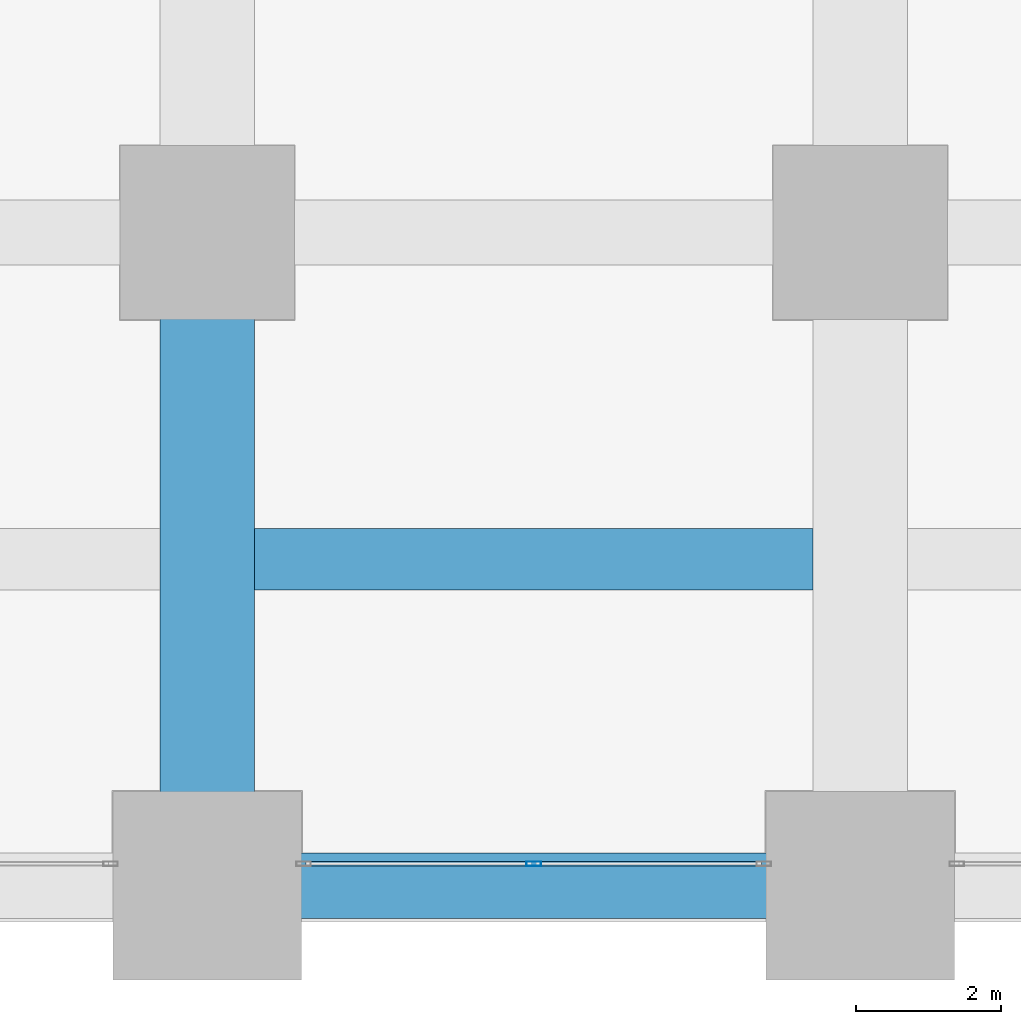
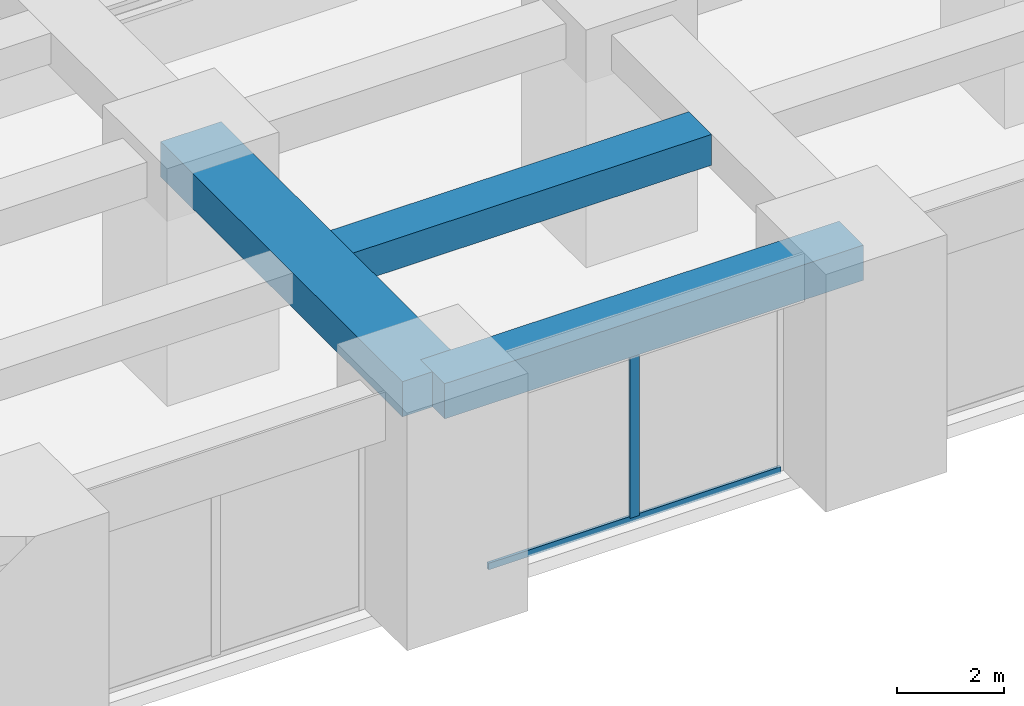
# One storey, part 7 of 45: 3 beams, 2 members, 1 element without a shape of its own.
"""IFC4 building model written with IfcOpenShell, lengths in metres."""

from ifc_helpers import new_model, si_unit, direction, frame, origin, origin_2d, place, context, subcontext, project, spatial, rectangle, hollow_rectangle, extrude, material, material_profile, profile_set, type_object, element, aggregate, save


model = new_model("IFC4")

# Units and contexts
model_context = context("Model", 3, precision=1e-05, world=origin(), true_north=direction((0.0, 1.0)))
body_context = subcontext(model_context, "Body", "Model", "MODEL_VIEW")
ifc_project = project(units=[si_unit("LENGTHUNIT", "METRE"), si_unit("AREAUNIT", "SQUARE_METRE"), si_unit("VOLUMEUNIT", "CUBIC_METRE"), si_unit("PLANEANGLEUNIT", "RADIAN"), si_unit("MASSUNIT", "GRAM", prefix="KILO")], contexts=[model_context])

# Site, building, storey
site_placement = place(None, origin())
site = spatial("IfcSite", under=ifc_project, at=site_placement, CompositionType="ELEMENT")
building_placement = place(site_placement, origin())
building = spatial("IfcBuilding", under=site, at=building_placement, Name="Zorevar Civic Tower", CompositionType="ELEMENT")
storey_placement = place(building_placement, frame((0.0, 0.0, 5.39990234375)))
storey = spatial("IfcBuildingStorey", under=building, at=storey_placement, Name="L01", CompositionType="ELEMENT", Elevation=5.39990234375)

# Beams
ifc_material_1 = material(Name="Concrete C50/60", Category="concrete")
ifc_material_profile_1 = material_profile(ifc_material_1, rectangle(XDim=1.300048828125, YDim=0.800048828125, at=origin_2d()), Name="RC 1300x800")
ifc_profile_set_1 = profile_set([ifc_material_profile_1], Name="Concrete C50/60")
beam_type_1 = type_object("IfcBeamType", Name="Beam RC 1300x800", PredefinedType="BEAM", material=ifc_profile_set_1)
beam_1_placement = place(storey_placement, frame((18.0, 0.0, 4.7001953125), z_axis=(0.0, 1.0, 0.0), x_axis=(-1.0, 0.0, 0.0)))
element("IfcBeam", 1, at=beam_1_placement, inside=storey, type_object=beam_type_1, Name="Girder L02", PredefinedType="BEAM", context=body_context, shape_type="SweptSolid", body=[
    extrude(rectangle(XDim=1.300048828125, YDim=0.800048828125, at=origin_2d()), origin(), (0.0, 0.0, 1.0), 9.0),
])
ifc_material_2 = material(Name="Concrete C50/60", Category="concrete")
ifc_material_profile_2 = material_profile(ifc_material_2, rectangle(XDim=0.85009765625, YDim=0.699951171875, at=origin_2d()), Name="RC 850x700")
ifc_profile_set_2 = profile_set([ifc_material_profile_2], Name="Concrete C50/60")
beam_type_2 = type_object("IfcBeamType", Name="Beam RC 850x700", PredefinedType="BEAM", material=ifc_profile_set_2)
beam_2_placement = place(storey_placement, frame((18.64990234375, 4.5, 4.75), z_axis=(1.0, 0.0, 0.0), x_axis=(0.0, 1.0, 0.0)))
element("IfcBeam", 2, at=beam_2_placement, inside=storey, type_object=beam_type_2, Name="Secondary beam L02", PredefinedType="BEAM", context=body_context, shape_type="SweptSolid", body=[
    extrude(rectangle(XDim=0.85009765625, YDim=0.699951171875, at=origin_2d()), origin(), (0.0, 0.0, 1.0), 7.7001953125),
])

# Curtain wall, members
ifc_material_3 = material(Name="Dark grey solar-control glass in black aluminium frame", Category="aluminium")
curtain_wall_type = type_object("IfcCurtainWallType", Name="Curtain wall CW1 podium", PredefinedType="NOTDEFINED", material=ifc_material_3)
curtain_wall_placement = place(storey_placement, origin())
curtain_wall = element("IfcCurtainWall", 3, at=curtain_wall_placement, inside=storey, type_object=curtain_wall_type, Name="CW1 L01", PredefinedType="NOTDEFINED")
ifc_material_4 = material(Name="Aluminium, black anodised", Category="aluminium")
ifc_material_profile_3 = material_profile(ifc_material_4, hollow_rectangle(XDim=0.06005859375, YDim=0.199951171875, WallThickness=0.00390625, at=origin_2d()), Name="AL 200x60x4")
ifc_profile_set_3 = profile_set([ifc_material_profile_3], Name="Aluminium, black anodised")
member_type_1 = type_object("IfcMemberType", Name="CW1 mullion AL 200x60x4", PredefinedType="MULLION", material=ifc_profile_set_3)
member_1_placement = place(storey_placement, frame((22.5, 0.300048828125, 0.06005859375), z_axis=(0.0, 0.0, 1.0), x_axis=(0.0, 1.0, 0.0)))
member_1 = element("IfcMember", 4, at=member_1_placement, type_object=member_type_1, Name="CW1 mullion 2", PredefinedType="MULLION", context=body_context, shape_type="SweptSolid", body=[
    extrude(hollow_rectangle(XDim=0.06005859375, YDim=0.199951171875, WallThickness=0.00390625, at=origin_2d()), origin(), (0.0, 0.0, 1.0), 4.239990234375),
])
ifc_material_5 = material(Name="Aluminium, black anodised", Category="aluminium")
ifc_material_profile_4 = material_profile(ifc_material_5, hollow_rectangle(XDim=0.06005859375, YDim=0.14990234375, WallThickness=0.00390625, at=origin_2d()), Name="AL 150x60x4")
ifc_profile_set_4 = profile_set([ifc_material_profile_4], Name="Aluminium, black anodised")
member_type_2 = type_object("IfcMemberType", Name="CW1 transom AL 150x60x4", PredefinedType="USERDEFINED", material=ifc_profile_set_4)
member_2_placement = place(storey_placement, frame((19.360107421875, 0.300048828125, 0.030029296875), z_axis=(1.0, 0.0, 0.0), x_axis=(0.0, 1.0, 0.0)))
member_2 = element("IfcMember", 5, at=member_2_placement, type_object=member_type_2, Name="CW1 sill transom", ObjectType="TRANSOM", PredefinedType="USERDEFINED", context=body_context, shape_type="SweptSolid", body=[
    extrude(hollow_rectangle(XDim=0.06005859375, YDim=0.14990234375, WallThickness=0.00390625, at=origin_2d()), origin(), (0.0, 0.0, 1.0), 6.27978515625),
])
aggregate(curtain_wall, [member_1, member_2])

# Beam
ifc_material_6 = material(Name="Concrete C50/60", Category="concrete")
ifc_material_profile_5 = material_profile(ifc_material_6, rectangle(XDim=0.89990234375, YDim=0.800048828125, at=origin_2d()), Name="RC 900x800")
ifc_profile_set_5 = profile_set([ifc_material_profile_5], Name="Concrete C50/60")
beam_type_3 = type_object("IfcBeamType", Name="Edge beam RC 900x800", PredefinedType="SPANDREL", material=ifc_profile_set_5)
beam_3_placement = place(storey_placement, frame((18.0, 0.0, 4.7001953125), z_axis=(1.0, 0.0, 0.0), x_axis=(0.0, 1.0, 0.0)))
element("IfcBeam", 6, at=beam_3_placement, inside=storey, type_object=beam_type_3, Name="Edge beam L02", PredefinedType="SPANDREL", context=body_context, shape_type="SweptSolid", body=[
    extrude(rectangle(XDim=0.89990234375, YDim=0.800048828125, at=origin_2d()), origin(), (0.0, 0.0, 1.0), 9.0),
])

save(model, "model.ifc")
